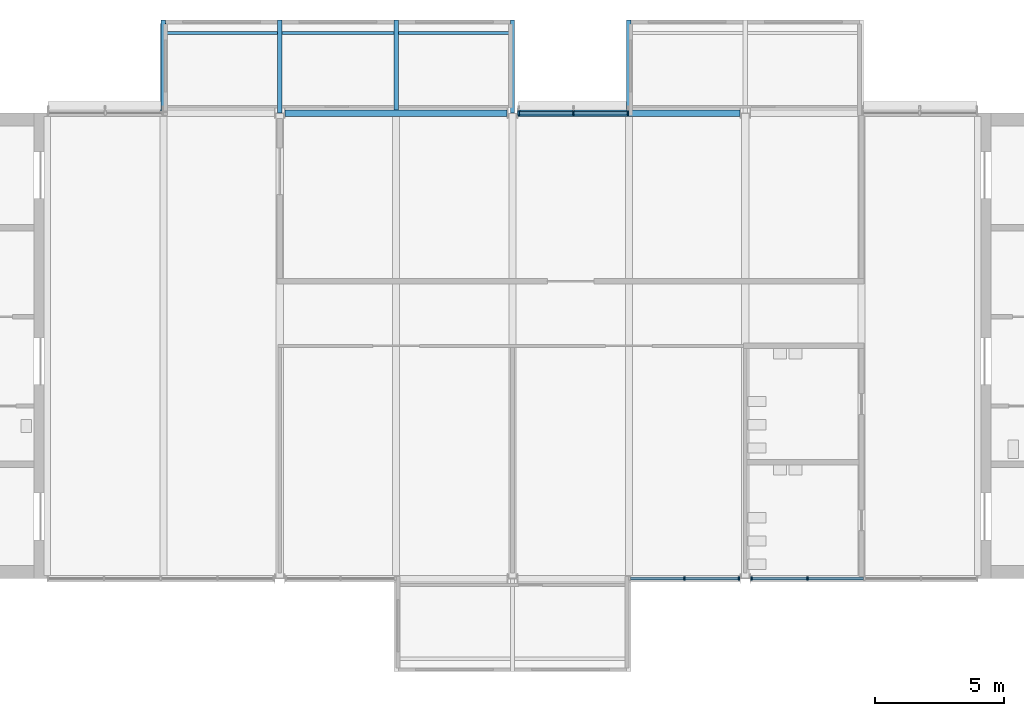
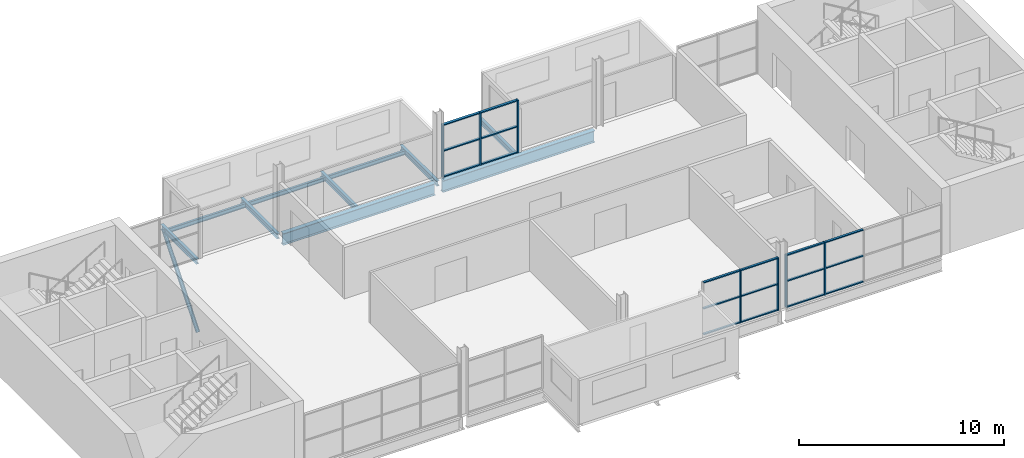
# One storey, part 2 of 10: 26 members, 10 beams, 3 elements without a shape of their own.
"""IFC4 building model written with IfcOpenShell, lengths in metres."""

import ifcopenshell
import ifcopenshell.guid

model = None  # the IFC model being written
_history = None  # IfcOwnerHistory: only IFC2X3 demands one
_inside = {}  # id of a spatial element -> (the spatial element, [elements in it])
_under = {}  # id of a project, library or spatial element -> (it, [spatial elements below it])
_declared = {}  # id of a project -> (the project, [libraries it declares])
_typed = {}  # id of a type object -> (the type object, [elements of that type])
_made_of = {}  # id of a material, layer set ... -> (it, [elements and type objects made of it])


def new_model(schema):
    """Start an empty IFC model of exactly this schema.

    Asked for "IFC4X3", IfcOpenShell would pick the latest addendum, in which some entities
    have other attributes; the version numbers below select the first issue.
    IFC2X3 requires an IfcOwnerHistory on every rooted entity: one is made here for all.
    """
    global model, _history
    if schema == "IFC4X3":
        model = ifcopenshell.file(schema_version=(4, 3, 0, 0))
    else:
        model = ifcopenshell.file(schema=schema)
    _inside.clear()
    _under.clear()
    _declared.clear()
    _typed.clear()
    _made_of.clear()
    _history = None
    if model.schema == "IFC2X3":
        org = make("IfcOrganization", Name="unknown")
        user = make(
            "IfcPersonAndOrganization",
            ThePerson=make("IfcPerson", FamilyName="unknown"),
            TheOrganization=org,
        )
        app = make(
            "IfcApplication",
            ApplicationDeveloper=org,
            Version="unknown",
            ApplicationFullName="unknown",
            ApplicationIdentifier="unknown",
        )
        _history = make(
            "IfcOwnerHistory",
            OwningUser=user,
            OwningApplication=app,
            ChangeAction="ADDED",
            CreationDate=0,
        )
    return model


def make(cls, **values):
    """One entity of the class cls with the attributes given. An attribute that is None is left unset."""
    return model.create_entity(
        cls, **{name: value for name, value in values.items() if value is not None}
    )


def rooted(cls, **values):
    """An entity with a GlobalId (a new one), such as an element, a storey or a relation."""
    return make(cls, GlobalId=ifcopenshell.guid.new(), OwnerHistory=_history, **values)


def si_unit(unit_type, name, prefix=None):
    """IfcSIUnit, for example si_unit("LENGTHUNIT", "METRE", prefix="MILLI")."""
    return make("IfcSIUnit", UnitType=unit_type, Prefix=prefix, Name=name)


def assignment(units):
    """IfcUnitAssignment: the units of a project."""
    return None if units is None else make("IfcUnitAssignment", Units=units)


def point(xyz):
    """IfcCartesianPoint."""
    return None if xyz is None else make("IfcCartesianPoint", Coordinates=xyz)


def direction(xyz):
    """IfcDirection."""
    return None if xyz is None else make("IfcDirection", DirectionRatios=xyz)


def frame(location, z_axis=None, x_axis=None):
    """IfcAxis2Placement3D, a coordinate frame: its origin and axes. An axis left out is left unset."""
    return make(
        "IfcAxis2Placement3D",
        Location=point(location),
        Axis=direction(z_axis),
        RefDirection=direction(x_axis),
    )


def frame_2d(location, x_axis=None):
    """IfcAxis2Placement2D, a coordinate frame in the plane: its origin and x axis."""
    return make(
        "IfcAxis2Placement2D", Location=point(location), RefDirection=direction(x_axis)
    )


def origin():
    """The frame at (0, 0, 0) with its axes left unset."""
    return frame((0.0, 0.0, 0.0))


def origin_2d():
    """The frame at (0, 0) in the plane with its x axis left unset."""
    return frame_2d((0.0, 0.0))


def place(relative_to, where):
    """IfcLocalPlacement: puts the frame where relative to a parent placement (None: the world)."""
    return make(
        "IfcLocalPlacement", PlacementRelTo=relative_to, RelativePlacement=where
    )


def context(
    kind, dimensions, precision=None, world=None, true_north=None, identifier=None
):
    """IfcGeometricRepresentationContext, for example the 3D "Model" context."""
    return make(
        "IfcGeometricRepresentationContext",
        ContextIdentifier=identifier,
        ContextType=kind,
        CoordinateSpaceDimension=dimensions,
        Precision=precision,
        WorldCoordinateSystem=world,
        TrueNorth=true_north,
    )


def subcontext(parent, identifier, kind, view, scale=None):
    """IfcGeometricRepresentationSubContext, for example "Body" below "Model"."""
    return make(
        "IfcGeometricRepresentationSubContext",
        ContextIdentifier=identifier,
        ContextType=kind,
        ParentContext=parent,
        TargetScale=scale,
        TargetView=view,
    )


def project(units=None, contexts=None):
    """IfcProject with its units and contexts."""
    return rooted(
        "IfcProject",
        Name="project",
        RepresentationContexts=contexts,
        UnitsInContext=assignment(units),
    )


def spatial(cls, under=None, at=None, **own):
    """A site, building, storey or space (cls), placed at a placement, below another one or the project."""
    s = rooted(cls, ObjectPlacement=at, **own)
    if under is not None:
        _under.setdefault(under.id(), (under, []))[1].append(s)
    return s


def profile(cls, at=None, kind="AREA", **sizes):
    """A parametric profile (cls). Its sizes go by their IFC names, for example OverallWidth=200.0."""
    return make(cls, ProfileType=kind, Position=at, **sizes)


def rectangle(**sizes):
    """IfcRectangleProfileDef."""
    return profile("IfcRectangleProfileDef", **sizes)


def hollow_circle(**sizes):
    """IfcCircleHollowProfileDef."""
    return profile("IfcCircleHollowProfileDef", **sizes)


def i_section(**sizes):
    """IfcIShapeProfileDef."""
    return profile("IfcIShapeProfileDef", **sizes)


def extrude(swept, where, along, depth):
    """IfcExtrudedAreaSolid: the profile swept, set in the frame where, extruded along a direction by depth."""
    return make(
        "IfcExtrudedAreaSolid",
        SweptArea=swept,
        Position=where,
        ExtrudedDirection=direction(along),
        Depth=depth,
    )


def shape(context_of_items, identifier, shape_type, items):
    """IfcShapeRepresentation: the items that make up one representation, for example the "Body"."""
    return make(
        "IfcShapeRepresentation",
        ContextOfItems=context_of_items,
        RepresentationIdentifier=identifier,
        RepresentationType=shape_type,
        Items=items,
    )


def material(Name=None, Category=None):
    """IfcMaterial."""
    return make("IfcMaterial", Name=Name, Category=Category)


def layer(
    of_material, thickness, ventilated=None, Name=None, Category=None, Priority=None
):
    """IfcMaterialLayer: one layer of a wall or slab, of a material (None: an air gap)."""
    return make(
        "IfcMaterialLayer",
        Material=of_material,
        LayerThickness=thickness,
        IsVentilated=ventilated,
        Name=Name,
        Category=Category,
        Priority=Priority,
    )


def layer_set(layers, Name=None):
    """IfcMaterialLayerSet."""
    return make("IfcMaterialLayerSet", MaterialLayers=layers, LayerSetName=Name)


def material_profile(
    of_material, cross_section, Name=None, Category=None, Priority=None
):
    """IfcMaterialProfile: a cross section and its material."""
    return make(
        "IfcMaterialProfile",
        Name=Name,
        Material=of_material,
        Profile=cross_section,
        Priority=Priority,
        Category=Category,
    )


def profile_set(profiles, Name=None, composite=None):
    """IfcMaterialProfileSet."""
    return make(
        "IfcMaterialProfileSet",
        Name=Name,
        MaterialProfiles=profiles,
        CompositeProfile=composite,
    )


def made_of(thing, what):
    """Note that an element or type object is made of a material, layer set ...; save() writes the relation."""
    if what is not None:
        _made_of.setdefault(what.id(), (what, []))[1].append(thing)
    return thing


def type_object(cls, material=None, **own):
    """A type object (cls), such as IfcWallType, which elements share."""
    return made_of(rooted(cls, **own), material)


def element(
    cls,
    number,
    at=None,
    inside=None,
    cuts=None,
    type_object=None,
    material=None,
    context=None,
    identifier="Body",
    shape_type=None,
    held_by="IfcProductDefinitionShape",
    body=None,
    shapes=None,
    **own,
):
    """One element of the class cls, such as IfcWall. Its Tag is "e" and its number.

    at: its placement. inside: the storey or other place that contains it. cuts: it is an
    opening in that element (IfcRelVoidsElement). A single representation is given by context,
    identifier, shape_type and body (its items); several are given by shapes. held_by: the class
    of the entity that holds the representations. save() writes the other relations.
    """
    e = rooted(cls, Tag="e%d" % number, ObjectPlacement=at, **own)
    if body is not None:
        shapes = [shape(context, identifier, shape_type, body)]
    if shapes is not None:
        e.Representation = make(held_by, Representations=shapes)
    if inside is not None:
        _inside.setdefault(inside.id(), (inside, []))[1].append(e)
    if cuts is not None:
        rooted(
            "IfcRelVoidsElement", RelatingBuildingElement=cuts, RelatedOpeningElement=e
        )
    if type_object is not None:
        _typed.setdefault(type_object.id(), (type_object, []))[1].append(e)
    return made_of(e, material)


def aggregate(whole, parts):
    """IfcRelAggregates: a whole, such as a stair, and the parts it consists of."""
    return rooted("IfcRelAggregates", RelatingObject=whole, RelatedObjects=parts)


def save(model, path):
    """Write the relations noted so far, then the file.

    IfcRelAggregates (storeys below a building ...), IfcRelContainedInSpatialStructure (elements
    in a storey), IfcRelDefinesByType, IfcRelAssociatesMaterial and IfcRelDeclares: one each for
    every whole, place, type object, material and project.
    """
    for whole, parts in _under.values():
        aggregate(whole, parts)
    for where, things in _inside.values():
        rooted(
            "IfcRelContainedInSpatialStructure",
            RelatedElements=things,
            RelatingStructure=where,
        )
    for kind, things in _typed.values():
        rooted("IfcRelDefinesByType", RelatedObjects=things, RelatingType=kind)
    for what, things in _made_of.values():
        rooted("IfcRelAssociatesMaterial", RelatedObjects=things, RelatingMaterial=what)
    for by, libraries in _declared.values():
        rooted("IfcRelDeclares", RelatingContext=by, RelatedDefinitions=libraries)
    model.write(path)


model = new_model("IFC4")

# Units and contexts
model_context = context("Model", 3, precision=1e-05, world=origin(), true_north=direction((0.0, 1.0)))
body_context = subcontext(model_context, "Body", "Model", "MODEL_VIEW")
ifc_project = project(units=[si_unit("LENGTHUNIT", "METRE"), si_unit("AREAUNIT", "SQUARE_METRE"), si_unit("VOLUMEUNIT", "CUBIC_METRE"), si_unit("PLANEANGLEUNIT", "RADIAN"), si_unit("MASSUNIT", "GRAM", prefix="KILO")], contexts=[model_context])

# Site, building, storey
site_placement = place(None, origin())
site = spatial("IfcSite", under=ifc_project, at=site_placement, CompositionType="ELEMENT")
building_placement = place(site_placement, origin())
building = spatial("IfcBuilding", under=site, at=building_placement, Name="Corbel Yard City Hall", CompositionType="ELEMENT")
storey_placement = place(building_placement, frame((0.0, 0.0, 43.199951171875)))
storey = spatial("IfcBuildingStorey", under=building, at=storey_placement, Name="L10", CompositionType="ELEMENT", Elevation=43.199951171875)

# Beams
ifc_material_1 = material(Name="Steel Grade 350", Category="steel")
ifc_material_profile_1 = material_profile(ifc_material_1, i_section(OverallWidth=0.25, OverallDepth=0.699951171875, WebThickness=0.010009765625, FlangeThickness=0.02001953125, at=origin_2d()), Name="700WB130")
ifc_profile_set_1 = profile_set([ifc_material_profile_1], Name="Steel Grade 350")
beam_type_1 = type_object("IfcBeamType", Name="Edge beam 700WB130", PredefinedType="BEAM", material=ifc_profile_set_1)
for number, where, z_axis, x_axis, name in (
    (1, (18.20703125, 117.0, -0.5), (1.0, 0.0, 0.0), (0.0, 1.0, 0.0), "Edge beam 700WB130 EB9 L10tower"),
    (2, (27.20703125, 117.0, -0.5), (1.0, 0.0, 0.0), (0.0, 1.0, 0.0), "Edge beam 700WB130 EB9 L10tower"),
):
    element("IfcBeam", number, at=place(storey_placement, frame(where, z_axis=z_axis, x_axis=x_axis)), inside=storey, type_object=beam_type_1, Name=name, PredefinedType="BEAM", context=body_context, shape_type="SweptSolid", body=[
        extrude(i_section(OverallWidth=0.25, OverallDepth=0.699951171875, WebThickness=0.010009765625, FlangeThickness=0.02001953125, at=origin_2d()), origin(), (0.0, 0.0, 1.0), 8.5859375),
    ])

# Curtain wall, members
ifc_material_2 = material(Name="Aluminium extrusion", Category="aluminium")
ifc_layer_1 = layer(ifc_material_2, 0.14990234375)
ifc_layer_set_1 = layer_set([ifc_layer_1], Name="Aluminium extrusion")
curtain_wall_type_1 = type_object("IfcCurtainWallType", Name="CW2", PredefinedType="USERDEFINED", material=ifc_layer_set_1)
curtain_wall_1_placement = place(storey_placement, origin())
curtain_wall_1 = element("IfcCurtainWall", 3, at=curtain_wall_1_placement, inside=storey, type_object=curtain_wall_type_1, Name="Curtain wall CW2 L10", ObjectType="CURTAIN WALL", PredefinedType="USERDEFINED")
ifc_material_profile_2 = material_profile(ifc_material_2, rectangle(XDim=0.14990234375, YDim=0.06494140625, at=origin_2d()), Name="150x65")
ifc_profile_set_2 = profile_set([ifc_material_profile_2], Name="Aluminium extrusion")
member_type_1 = type_object("IfcMemberType", Name="ML2", PredefinedType="MULLION", material=ifc_profile_set_2)
member_1_placement = place(storey_placement, frame((33.646484375, 99.0, 0.0), z_axis=(0.0, 0.0, 1.0), x_axis=(0.0, 1.0, 0.0)))
member_1 = element("IfcMember", 4, at=member_1_placement, type_object=member_type_1, Name="CW2 mullion 2", PredefinedType="MULLION", context=body_context, shape_type="SweptSolid", body=[
    extrude(rectangle(XDim=0.14990234375, YDim=0.06494140625, at=origin_2d()), origin(), (0.0, 0.0, 1.0), 3.150146484375),
])
member_2_placement = place(storey_placement, frame((35.760498046875, 99.0, 0.0), z_axis=(0.0, 0.0, 1.0), x_axis=(0.0, 1.0, 0.0)))
member_2 = element("IfcMember", 5, at=member_2_placement, type_object=member_type_1, Name="CW2 mullion 3", PredefinedType="MULLION", context=body_context, shape_type="SweptSolid", body=[
    extrude(rectangle(XDim=0.14990234375, YDim=0.06494140625, at=origin_2d()), origin(), (0.0, 0.0, 1.0), 3.150146484375),
])

curtain_wall_2_placement = place(storey_placement, origin())
curtain_wall_2 = element("IfcCurtainWall", 6, at=curtain_wall_2_placement, inside=storey, type_object=curtain_wall_type_1, Name="Curtain wall CW2 L10", ObjectType="CURTAIN WALL", PredefinedType="USERDEFINED")
member_3_placement = place(storey_placement, frame((36.239501953125, 99.0, 0.0), z_axis=(0.0, 0.0, 1.0), x_axis=(0.0, 1.0, 0.0)))
member_3 = element("IfcMember", 7, at=member_3_placement, type_object=member_type_1, Name="CW2 mullion 1", PredefinedType="MULLION", context=body_context, shape_type="SweptSolid", body=[
    extrude(rectangle(XDim=0.14990234375, YDim=0.06494140625, at=origin_2d()), origin(), (0.0, 0.0, 1.0), 3.150146484375),
])
member_4_placement = place(storey_placement, frame((38.4052734375, 99.0, 0.0), z_axis=(0.0, 0.0, 1.0), x_axis=(0.0, 1.0, 0.0)))
member_4 = element("IfcMember", 8, at=member_4_placement, type_object=member_type_1, Name="CW2 mullion 2", PredefinedType="MULLION", context=body_context, shape_type="SweptSolid", body=[
    extrude(rectangle(XDim=0.14990234375, YDim=0.06494140625, at=origin_2d()), origin(), (0.0, 0.0, 1.0), 3.150146484375),
])

ifc_layer_2 = layer(ifc_material_2, 0.179931640625)
ifc_layer_set_2 = layer_set([ifc_layer_2], Name="Aluminium extrusion")
curtain_wall_type_2 = type_object("IfcCurtainWallType", Name="CW6", PredefinedType="USERDEFINED", material=ifc_layer_set_2)
curtain_wall_3_placement = place(storey_placement, origin())
curtain_wall_3 = element("IfcCurtainWall", 9, at=curtain_wall_3_placement, inside=storey, type_object=curtain_wall_type_2, Name="Curtain wall CW6 L10", ObjectType="CURTAIN WALL", PredefinedType="USERDEFINED")
ifc_material_profile_3 = material_profile(ifc_material_2, rectangle(XDim=0.179931640625, YDim=0.06494140625, at=origin_2d()), Name="180x65")
ifc_profile_set_3 = profile_set([ifc_material_profile_3], Name="Aluminium extrusion")
member_type_2 = type_object("IfcMemberType", Name="ML6", PredefinedType="MULLION", material=ifc_profile_set_3)
member_5_placement = place(storey_placement, frame((27.239501953125, 117.0, 0.0), z_axis=(0.0, 0.0, 1.0), x_axis=(0.0, 1.0, 0.0)))
member_5 = element("IfcMember", 10, at=member_5_placement, type_object=member_type_2, Name="CW6 mullion 1", PredefinedType="MULLION", context=body_context, shape_type="SweptSolid", body=[
    extrude(rectangle(XDim=0.179931640625, YDim=0.06494140625, at=origin_2d()), origin(), (0.0, 0.0, 1.0), 3.150146484375),
])
member_6_placement = place(storey_placement, frame((29.353515625, 117.0, 0.0), z_axis=(0.0, 0.0, 1.0), x_axis=(0.0, 1.0, 0.0)))
member_6 = element("IfcMember", 11, at=member_6_placement, type_object=member_type_2, Name="CW6 mullion 2", PredefinedType="MULLION", context=body_context, shape_type="SweptSolid", body=[
    extrude(rectangle(XDim=0.179931640625, YDim=0.06494140625, at=origin_2d()), origin(), (0.0, 0.0, 1.0), 3.150146484375),
])
member_7_placement = place(storey_placement, frame((31.467529296875, 117.0, 0.0), z_axis=(0.0, 0.0, 1.0), x_axis=(0.0, 1.0, 0.0)))
member_7 = element("IfcMember", 12, at=member_7_placement, type_object=member_type_2, Name="CW6 mullion 3", PredefinedType="MULLION", context=body_context, shape_type="SweptSolid", body=[
    extrude(rectangle(XDim=0.179931640625, YDim=0.06494140625, at=origin_2d()), origin(), (0.0, 0.0, 1.0), 3.150146484375),
])

# Member
ifc_material_3 = material(Name="Steel Grade C350L0", Category="steel")
ifc_material_profile_4 = material_profile(ifc_material_3, hollow_circle(Radius=0.109619140625, WallThickness=0.00830078125, at=origin_2d()), Name="219.1x8.2CHS")
ifc_profile_set_4 = profile_set([ifc_material_profile_4], Name="Steel Grade C350L0")
member_type_3 = type_object("IfcMemberType", Name="Pod knee brace", PredefinedType="BRACE", material=ifc_profile_set_4)
member_8_placement = place(storey_placement, frame((13.5, 120.43994140625, -0.4169921875), z_axis=(0.0, -0.634337153604, -0.773056515112), x_axis=(1.0, 0.0, 0.0)))
element("IfcMember", 13, at=member_8_placement, inside=storey, type_object=member_type_3, Name="Pod knee brace", PredefinedType="BRACE", context=body_context, shape_type="SweptSolid", body=[
    extrude(hollow_circle(Radius=0.109619140625, WallThickness=0.00830078125, at=origin_2d()), origin(), (0.0, 0.0, 1.0), 5.28173828125),
])

# Beams
ifc_material_4 = material(Name="Steel Grade 300 (300 MPa yield)", Category="steel")
ifc_material_profile_5 = material_profile(ifc_material_4, i_section(OverallWidth=0.166015625, OverallDepth=0.306884765625, WebThickness=0.006591796875, FlangeThickness=0.01171875, at=origin_2d()), Name="310UB46.2")
ifc_profile_set_5 = profile_set([ifc_material_profile_5], Name="Steel Grade 300 (300 MPa yield)")
beam_type_2 = type_object("IfcBeamType", Name="Pod stub beam 310UB46.2", PredefinedType="BEAM", material=ifc_profile_set_5)
beam_1_placement = place(storey_placement, frame((13.5, 117.125, -0.303466796875), z_axis=(0.0, 1.0, 0.0), x_axis=(-1.0, 0.0, 0.0)))
element("IfcBeam", 14, at=beam_1_placement, inside=storey, type_object=beam_type_2, Name="Pod stub 310UB46.2 CB1 L10", PredefinedType="BEAM", context=body_context, shape_type="SweptSolid", body=[
    extrude(i_section(OverallWidth=0.166015625, OverallDepth=0.306884765625, WebThickness=0.006591796875, FlangeThickness=0.01171875, at=origin_2d()), origin(), (0.0, 0.0, 1.0), 3.47509765625),
])
beam_2_placement = place(storey_placement, frame((18.0, 117.012451171875, -0.303466796875), z_axis=(0.0, 1.0, 0.0), x_axis=(-1.0, 0.0, 0.0)))
element("IfcBeam", 15, at=beam_2_placement, inside=storey, type_object=beam_type_2, Name="Pod stub 310UB46.2 CB1 L10", PredefinedType="BEAM", context=body_context, shape_type="SweptSolid", body=[
    extrude(i_section(OverallWidth=0.166015625, OverallDepth=0.306884765625, WebThickness=0.006591796875, FlangeThickness=0.01171875, at=origin_2d()), origin(), (0.0, 0.0, 1.0), 3.587646484375),
])
beam_3_placement = place(storey_placement, frame((22.5, 117.125, -0.303466796875), z_axis=(0.0, 1.0, 0.0), x_axis=(-1.0, 0.0, 0.0)))
element("IfcBeam", 16, at=beam_3_placement, inside=storey, type_object=beam_type_2, Name="Pod stub 310UB46.2 CB1 L10", PredefinedType="BEAM", context=body_context, shape_type="SweptSolid", body=[
    extrude(i_section(OverallWidth=0.166015625, OverallDepth=0.306884765625, WebThickness=0.006591796875, FlangeThickness=0.01171875, at=origin_2d()), origin(), (0.0, 0.0, 1.0), 3.47509765625),
])
beam_4_placement = place(storey_placement, frame((27.0, 117.012451171875, -0.303466796875), z_axis=(0.0, 1.0, 0.0), x_axis=(-1.0, 0.0, 0.0)))
element("IfcBeam", 17, at=beam_4_placement, inside=storey, type_object=beam_type_2, Name="Pod stub 310UB46.2 CB1 L10", PredefinedType="BEAM", context=body_context, shape_type="SweptSolid", body=[
    extrude(i_section(OverallWidth=0.166015625, OverallDepth=0.306884765625, WebThickness=0.006591796875, FlangeThickness=0.01171875, at=origin_2d()), origin(), (0.0, 0.0, 1.0), 3.587646484375),
])
beam_5_placement = place(storey_placement, frame((31.5, 117.125, -0.303466796875), z_axis=(0.0, 1.0, 0.0), x_axis=(-1.0, 0.0, 0.0)))
element("IfcBeam", 18, at=beam_5_placement, inside=storey, type_object=beam_type_2, Name="Pod stub 310UB46.2 CB1 L10", PredefinedType="BEAM", context=body_context, shape_type="SweptSolid", body=[
    extrude(i_section(OverallWidth=0.166015625, OverallDepth=0.306884765625, WebThickness=0.006591796875, FlangeThickness=0.01171875, at=origin_2d()), origin(), (0.0, 0.0, 1.0), 3.47509765625),
])
ifc_material_profile_6 = material_profile(ifc_material_4, i_section(OverallWidth=0.1240234375, OverallDepth=0.248046875, WebThickness=0.0048828125, FlangeThickness=0.008056640625, at=origin_2d()), Name="250UB25.7")
ifc_profile_set_6 = profile_set([ifc_material_profile_6], Name="Steel Grade 300 (300 MPa yield)")
beam_type_3 = type_object("IfcBeamType", Name="Pod tip beam", PredefinedType="BEAM", material=ifc_profile_set_6)
for number, where, z_axis, x_axis, name in (
    (19, (13.5830078125, 120.10009765625, -0.27392578125), (1.0, 0.0, 0.0), (0.0, 1.0, 0.0), "Pod tip beam"),
    (20, (18.0830078125, 120.10009765625, -0.27392578125), (1.0, 0.0, 0.0), (0.0, 1.0, 0.0), "Pod tip beam"),
    (21, (22.5830078125, 120.10009765625, -0.27392578125), (1.0, 0.0, 0.0), (0.0, 1.0, 0.0), "Pod tip beam"),
):
    element("IfcBeam", number, at=place(storey_placement, frame(where, z_axis=z_axis, x_axis=x_axis)), inside=storey, type_object=beam_type_3, Name=name, PredefinedType="BEAM", context=body_context, shape_type="SweptSolid", body=[
        extrude(i_section(OverallWidth=0.1240234375, OverallDepth=0.248046875, WebThickness=0.0048828125, FlangeThickness=0.008056640625, at=origin_2d()), origin(), (0.0, 0.0, 1.0), 4.333984375),
    ])

# Member
ifc_material_profile_7 = material_profile(ifc_material_2, rectangle(XDim=0.1201171875, YDim=0.06494140625, at=origin_2d()), Name="120x65")
ifc_profile_set_7 = profile_set([ifc_material_profile_7], Name="Aluminium extrusion")
member_type_4 = type_object("IfcMemberType", Name="TR2", PredefinedType="USERDEFINED", material=ifc_profile_set_7)
member_9_placement = place(storey_placement, frame((31.56494140625, 99.0, 0.032470703125), z_axis=(1.0, 0.0, 0.0), x_axis=(0.0, 1.0, 0.0)))
member_9 = element("IfcMember", 22, at=member_9_placement, type_object=member_type_4, Name="CW2 transom 1.1", ObjectType="TRANSOM", PredefinedType="USERDEFINED", context=body_context, shape_type="SweptSolid", body=[
    extrude(rectangle(XDim=0.1201171875, YDim=0.06494140625, at=origin_2d()), origin(), (0.0, 0.0, 1.0), 2.049072265625),
])

member_10_placement = place(storey_placement, frame((31.56494140625, 99.0, 1.574951171875), z_axis=(1.0, 0.0, 0.0), x_axis=(0.0, 1.0, 0.0)))
member_10 = element("IfcMember", 23, at=member_10_placement, type_object=member_type_4, Name="CW2 transom 1.2", ObjectType="TRANSOM", PredefinedType="USERDEFINED", context=body_context, shape_type="SweptSolid", body=[
    extrude(rectangle(XDim=0.1201171875, YDim=0.06494140625, at=origin_2d()), origin(), (0.0, 0.0, 1.0), 2.049072265625),
])

member_11_placement = place(storey_placement, frame((31.56494140625, 99.0, 3.117431640625), z_axis=(1.0, 0.0, 0.0), x_axis=(0.0, 1.0, 0.0)))
member_11 = element("IfcMember", 24, at=member_11_placement, type_object=member_type_4, Name="CW2 transom 1.3", ObjectType="TRANSOM", PredefinedType="USERDEFINED", context=body_context, shape_type="SweptSolid", body=[
    extrude(rectangle(XDim=0.1201171875, YDim=0.06494140625, at=origin_2d()), origin(), (0.0, 0.0, 1.0), 2.049072265625),
])

member_12_placement = place(storey_placement, frame((33.678955078125, 99.0, 0.032470703125), z_axis=(1.0, 0.0, 0.0), x_axis=(0.0, 1.0, 0.0)))
member_12 = element("IfcMember", 25, at=member_12_placement, type_object=member_type_4, Name="CW2 transom 2.1", ObjectType="TRANSOM", PredefinedType="USERDEFINED", context=body_context, shape_type="SweptSolid", body=[
    extrude(rectangle(XDim=0.1201171875, YDim=0.06494140625, at=origin_2d()), origin(), (0.0, 0.0, 1.0), 2.049072265625),
])

member_13_placement = place(storey_placement, frame((33.678955078125, 99.0, 1.574951171875), z_axis=(1.0, 0.0, 0.0), x_axis=(0.0, 1.0, 0.0)))
member_13 = element("IfcMember", 26, at=member_13_placement, type_object=member_type_4, Name="CW2 transom 2.2", ObjectType="TRANSOM", PredefinedType="USERDEFINED", context=body_context, shape_type="SweptSolid", body=[
    extrude(rectangle(XDim=0.1201171875, YDim=0.06494140625, at=origin_2d()), origin(), (0.0, 0.0, 1.0), 2.049072265625),
])

member_14_placement = place(storey_placement, frame((33.678955078125, 99.0, 3.117431640625), z_axis=(1.0, 0.0, 0.0), x_axis=(0.0, 1.0, 0.0)))
member_14 = element("IfcMember", 27, at=member_14_placement, type_object=member_type_4, Name="CW2 transom 2.3", ObjectType="TRANSOM", PredefinedType="USERDEFINED", context=body_context, shape_type="SweptSolid", body=[
    extrude(rectangle(XDim=0.1201171875, YDim=0.06494140625, at=origin_2d()), origin(), (0.0, 0.0, 1.0), 2.049072265625),
])

aggregate(curtain_wall_1, [member_1, member_2, member_9, member_10, member_11, member_12, member_13, member_14])

member_15_placement = place(storey_placement, frame((36.27197265625, 99.0, 0.032470703125), z_axis=(1.0, 0.0, 0.0), x_axis=(0.0, 1.0, 0.0)))
member_15 = element("IfcMember", 28, at=member_15_placement, type_object=member_type_4, Name="CW2 transom 1.1", ObjectType="TRANSOM", PredefinedType="USERDEFINED", context=body_context, shape_type="SweptSolid", body=[
    extrude(rectangle(XDim=0.1201171875, YDim=0.06494140625, at=origin_2d()), origin(), (0.0, 0.0, 1.0), 2.100830078125),
])

member_16_placement = place(storey_placement, frame((36.27197265625, 99.0, 1.574951171875), z_axis=(1.0, 0.0, 0.0), x_axis=(0.0, 1.0, 0.0)))
member_16 = element("IfcMember", 29, at=member_16_placement, type_object=member_type_4, Name="CW2 transom 1.2", ObjectType="TRANSOM", PredefinedType="USERDEFINED", context=body_context, shape_type="SweptSolid", body=[
    extrude(rectangle(XDim=0.1201171875, YDim=0.06494140625, at=origin_2d()), origin(), (0.0, 0.0, 1.0), 2.100830078125),
])

member_17_placement = place(storey_placement, frame((36.27197265625, 99.0, 3.117431640625), z_axis=(1.0, 0.0, 0.0), x_axis=(0.0, 1.0, 0.0)))
member_17 = element("IfcMember", 30, at=member_17_placement, type_object=member_type_4, Name="CW2 transom 1.3", ObjectType="TRANSOM", PredefinedType="USERDEFINED", context=body_context, shape_type="SweptSolid", body=[
    extrude(rectangle(XDim=0.1201171875, YDim=0.06494140625, at=origin_2d()), origin(), (0.0, 0.0, 1.0), 2.100830078125),
])

member_18_placement = place(storey_placement, frame((38.437744140625, 99.0, 0.032470703125), z_axis=(1.0, 0.0, 0.0), x_axis=(0.0, 1.0, 0.0)))
member_18 = element("IfcMember", 31, at=member_18_placement, type_object=member_type_4, Name="CW2 transom 2.1", ObjectType="TRANSOM", PredefinedType="USERDEFINED", context=body_context, shape_type="SweptSolid", body=[
    extrude(rectangle(XDim=0.1201171875, YDim=0.06494140625, at=origin_2d()), origin(), (0.0, 0.0, 1.0), 2.13330078125),
])

member_19_placement = place(storey_placement, frame((38.437744140625, 99.0, 1.574951171875), z_axis=(1.0, 0.0, 0.0), x_axis=(0.0, 1.0, 0.0)))
member_19 = element("IfcMember", 32, at=member_19_placement, type_object=member_type_4, Name="CW2 transom 2.2", ObjectType="TRANSOM", PredefinedType="USERDEFINED", context=body_context, shape_type="SweptSolid", body=[
    extrude(rectangle(XDim=0.1201171875, YDim=0.06494140625, at=origin_2d()), origin(), (0.0, 0.0, 1.0), 2.13330078125),
])

member_20_placement = place(storey_placement, frame((38.437744140625, 99.0, 3.117431640625), z_axis=(1.0, 0.0, 0.0), x_axis=(0.0, 1.0, 0.0)))
member_20 = element("IfcMember", 33, at=member_20_placement, type_object=member_type_4, Name="CW2 transom 2.3", ObjectType="TRANSOM", PredefinedType="USERDEFINED", context=body_context, shape_type="SweptSolid", body=[
    extrude(rectangle(XDim=0.1201171875, YDim=0.06494140625, at=origin_2d()), origin(), (0.0, 0.0, 1.0), 2.13330078125),
])

aggregate(curtain_wall_2, [member_3, member_4, member_15, member_16, member_17, member_18, member_19, member_20])

ifc_material_profile_8 = material_profile(ifc_material_2, rectangle(XDim=0.139892578125, YDim=0.06494140625, at=origin_2d()), Name="140x65")
ifc_profile_set_8 = profile_set([ifc_material_profile_8], Name="Aluminium extrusion")
member_type_5 = type_object("IfcMemberType", Name="TR6", PredefinedType="USERDEFINED", material=ifc_profile_set_8)
member_21_placement = place(storey_placement, frame((27.27197265625, 117.0, 0.032470703125), z_axis=(1.0, 0.0, 0.0), x_axis=(0.0, 1.0, 0.0)))
member_21 = element("IfcMember", 34, at=member_21_placement, type_object=member_type_5, Name="CW6 transom 1.1", ObjectType="TRANSOM", PredefinedType="USERDEFINED", context=body_context, shape_type="SweptSolid", body=[
    extrude(rectangle(XDim=0.139892578125, YDim=0.06494140625, at=origin_2d()), origin(), (0.0, 0.0, 1.0), 2.049072265625),
])

member_22_placement = place(storey_placement, frame((27.27197265625, 117.0, 1.574951171875), z_axis=(1.0, 0.0, 0.0), x_axis=(0.0, 1.0, 0.0)))
member_22 = element("IfcMember", 35, at=member_22_placement, type_object=member_type_5, Name="CW6 transom 1.2", ObjectType="TRANSOM", PredefinedType="USERDEFINED", context=body_context, shape_type="SweptSolid", body=[
    extrude(rectangle(XDim=0.139892578125, YDim=0.06494140625, at=origin_2d()), origin(), (0.0, 0.0, 1.0), 2.049072265625),
])

member_23_placement = place(storey_placement, frame((27.27197265625, 117.0, 3.117431640625), z_axis=(1.0, 0.0, 0.0), x_axis=(0.0, 1.0, 0.0)))
member_23 = element("IfcMember", 36, at=member_23_placement, type_object=member_type_5, Name="CW6 transom 1.3", ObjectType="TRANSOM", PredefinedType="USERDEFINED", context=body_context, shape_type="SweptSolid", body=[
    extrude(rectangle(XDim=0.139892578125, YDim=0.06494140625, at=origin_2d()), origin(), (0.0, 0.0, 1.0), 2.049072265625),
])

member_24_placement = place(storey_placement, frame((29.385986328125, 117.0, 0.032470703125), z_axis=(1.0, 0.0, 0.0), x_axis=(0.0, 1.0, 0.0)))
member_24 = element("IfcMember", 37, at=member_24_placement, type_object=member_type_5, Name="CW6 transom 2.1", ObjectType="TRANSOM", PredefinedType="USERDEFINED", context=body_context, shape_type="SweptSolid", body=[
    extrude(rectangle(XDim=0.139892578125, YDim=0.06494140625, at=origin_2d()), origin(), (0.0, 0.0, 1.0), 2.049072265625),
])

member_25_placement = place(storey_placement, frame((29.385986328125, 117.0, 1.574951171875), z_axis=(1.0, 0.0, 0.0), x_axis=(0.0, 1.0, 0.0)))
member_25 = element("IfcMember", 38, at=member_25_placement, type_object=member_type_5, Name="CW6 transom 2.2", ObjectType="TRANSOM", PredefinedType="USERDEFINED", context=body_context, shape_type="SweptSolid", body=[
    extrude(rectangle(XDim=0.139892578125, YDim=0.06494140625, at=origin_2d()), origin(), (0.0, 0.0, 1.0), 2.049072265625),
])

member_26_placement = place(storey_placement, frame((29.385986328125, 117.0, 3.117431640625), z_axis=(1.0, 0.0, 0.0), x_axis=(0.0, 1.0, 0.0)))
member_26 = element("IfcMember", 39, at=member_26_placement, type_object=member_type_5, Name="CW6 transom 2.3", ObjectType="TRANSOM", PredefinedType="USERDEFINED", context=body_context, shape_type="SweptSolid", body=[
    extrude(rectangle(XDim=0.139892578125, YDim=0.06494140625, at=origin_2d()), origin(), (0.0, 0.0, 1.0), 2.049072265625),
])

aggregate(curtain_wall_3, [member_5, member_6, member_7, member_21, member_22, member_23, member_24, member_25, member_26])

save(model, "model.ifc")
